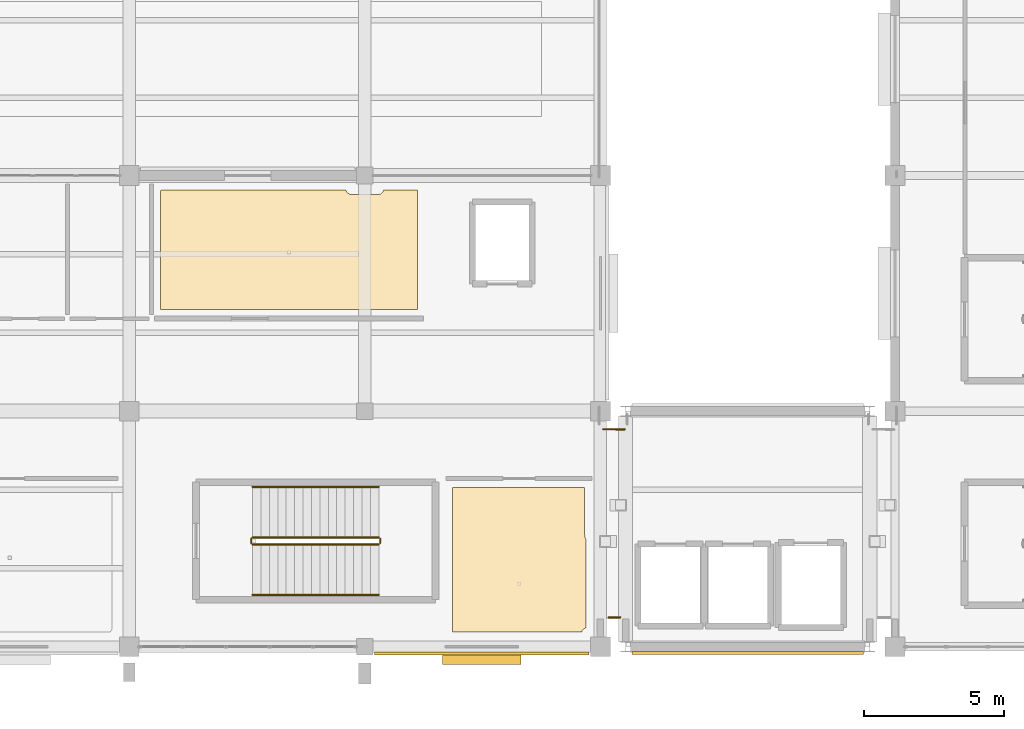
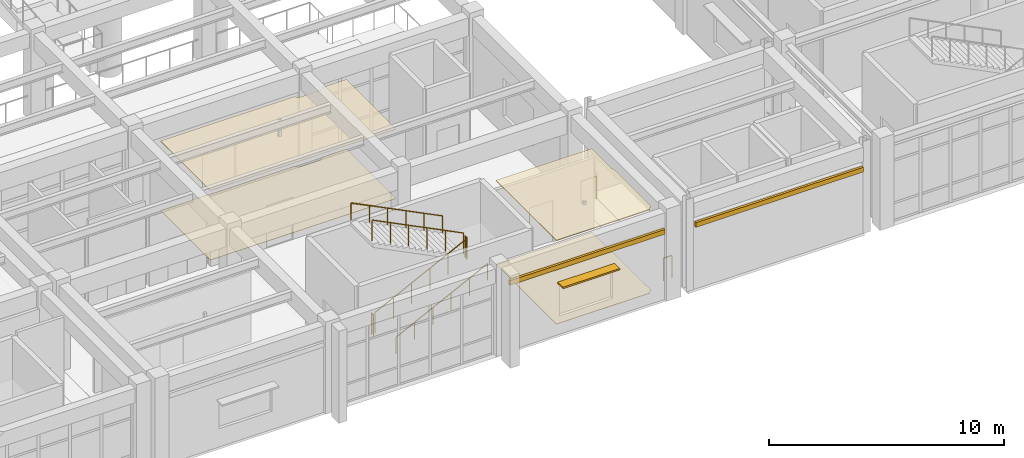
# One storey, part 90 of 98: 8 railings, 6 coverings, 1 shading device.
"""IFC4 building model written with IfcOpenShell, lengths in metres."""

from ifc_helpers import new_model, si_unit, direction, frame, origin, origin_2d, place, context, subcontext, project, spatial, polyline, rectangle, circle, outline, extrude, material, layer, layer_set, type_object, element, save


model = new_model("IFC4")

# Units and contexts
model_context = context("Model", 3, precision=1e-05, world=origin(), true_north=direction((0.0, 1.0)))
body_context = subcontext(model_context, "Body", "Model", "MODEL_VIEW")
ifc_project = project(units=[si_unit("LENGTHUNIT", "METRE"), si_unit("AREAUNIT", "SQUARE_METRE"), si_unit("VOLUMEUNIT", "CUBIC_METRE"), si_unit("PLANEANGLEUNIT", "RADIAN"), si_unit("MASSUNIT", "GRAM", prefix="KILO")], contexts=[model_context])

# Site, building, storey
site_placement = place(None, origin())
site = spatial("IfcSite", under=ifc_project, at=site_placement, CompositionType="ELEMENT")
building_placement = place(site_placement, origin())
building = spatial("IfcBuilding", under=site, at=building_placement, Name="Canglan Escarpment Cableway Terminal", CompositionType="ELEMENT")
storey_placement = place(building_placement, frame((0.0, 0.0, 9.60009765625)))
storey = spatial("IfcBuildingStorey", under=building, at=storey_placement, Name="L02", CompositionType="ELEMENT", Elevation=9.60009765625)

# Coverings
ifc_material_1 = material(Name="Micro-perforated acoustic aluminium ceiling", Category="aluminium")
ifc_layer_1 = layer(ifc_material_1, 0.0400390625, Name="Micro-perforated acoustic aluminium ceiling")
ifc_layer_set_1 = layer_set([ifc_layer_1], Name="Micro-perforated acoustic aluminium ceiling")
covering_type_1 = type_object("IfcCoveringType", Name="COV-CEIL-ACOUSTIC-40", PredefinedType="CEILING", material=ifc_layer_set_1)
covering_1_placement = place(storey_placement, frame((0.0, 0.0, 4.33984375)))
element("IfcCovering", 1, at=covering_1_placement, inside=storey, type_object=covering_type_1, Name="Alpine Tea Tasting Room suspended acoustic ceiling", PredefinedType="CEILING", context=body_context, shape_type="SweptSolid", body=[
    extrude(outline(polyline([(131.419921875, 13.659912109375), (131.420166015625, 13.662109375), (131.42041015625, 13.663818359375), (131.4208984375, 13.665771484375), (131.42138671875, 13.667724609375), (131.42236328125, 13.66943359375), (131.42333984375, 13.671142578125), (131.424560546875, 13.672607421875), (131.42578125, 13.674072265625), (131.42724609375, 13.675537109375), (131.428955078125, 13.676513671875), (131.4306640625, 13.677490234375), (131.432373046875, 13.678466796875), (131.43408203125, 13.67919921875), (131.43603515625, 13.6796875), (131.43798828125, 13.679931640625), (131.43994140625, 13.679931640625), (136.1201171875, 13.679931640625), (136.1220703125, 13.679931640625), (136.123779296875, 13.6796875), (136.125732421875, 13.67919921875), (136.127685546875, 13.678466796875), (136.12939453125, 13.677490234375), (136.131103515625, 13.676513671875), (136.1328125, 13.675537109375), (136.134033203125, 13.674072265625), (136.135498046875, 13.672607421875), (136.13671875, 13.671142578125), (136.1376953125, 13.66943359375), (136.138427734375, 13.667724609375), (136.13916015625, 13.665771484375), (136.1396484375, 13.663818359375), (136.139892578125, 13.662109375), (136.139892578125, 13.659912109375), (136.139892578125, 12.0), (136.139892578125, 12.0), (136.140380859375, 11.9892578125), (136.140380859375, 11.989013671875), (136.140869140625, 11.9755859375), (136.14111328125, 11.97509765625), (136.14306640625, 11.9541015625), (136.14306640625, 11.953857421875), (136.14501953125, 11.940673828125), (136.14501953125, 11.940185546875), (136.149169921875, 11.91943359375), (136.1494140625, 11.9189453125), (136.152587890625, 11.906005859375), (136.152587890625, 11.90576171875), (136.15869140625, 11.885498046875), (136.158935546875, 11.885009765625), (136.163330078125, 11.87255859375), (136.16357421875, 11.8720703125), (136.171630859375, 11.8525390625), (136.171875, 11.85205078125), (136.177490234375, 11.840087890625), (136.177978515625, 11.839599609375), (136.1787109375, 11.837890625), (136.17919921875, 11.836181640625), (136.1796875, 11.834228515625), (136.179931640625, 11.83251953125), (136.179931640625, 11.83056640625), (136.179931640625, 8.68603515625), (136.179931640625, 8.68408203125), (136.1796875, 8.68212890625), (136.17919921875, 8.680419921875), (136.1787109375, 8.6787109375), (136.177734375, 8.677001953125), (136.177001953125, 8.67529296875), (136.17578125, 8.673583984375), (136.174560546875, 8.67236328125), (136.173095703125, 8.6708984375), (136.171630859375, 8.669921875), (136.170166015625, 8.668701171875), (136.16845703125, 8.66796875), (136.166748046875, 8.667236328125), (136.15625, 8.663330078125), (136.155517578125, 8.6630859375), (136.13671875, 8.654296875), (136.135986328125, 8.65380859375), (136.1181640625, 8.643310546875), (136.117431640625, 8.642578125), (136.100830078125, 8.63037109375), (136.10009765625, 8.629638671875), (136.084716796875, 8.615966796875), (136.083984375, 8.615234375), (136.0703125, 8.599853515625), (136.069580078125, 8.59912109375), (136.057373046875, 8.58251953125), (136.056884765625, 8.581787109375), (136.046142578125, 8.564208984375), (136.0458984375, 8.563232421875), (136.037109375, 8.544677734375), (136.03662109375, 8.543701171875), (136.03271484375, 8.533203125), (136.031982421875, 8.531494140625), (136.031005859375, 8.529541015625), (136.02978515625, 8.52783203125), (136.028564453125, 8.5263671875), (136.027099609375, 8.52490234375), (136.025390625, 8.523681640625), (136.023681640625, 8.522705078125), (136.02197265625, 8.521728515625), (136.02001953125, 8.52099609375), (136.01806640625, 8.5205078125), (136.01611328125, 8.52001953125), (136.013916015625, 8.52001953125), (131.43994140625, 8.52001953125), (131.43798828125, 8.52001953125), (131.43603515625, 8.5205078125), (131.43408203125, 8.52099609375), (131.432373046875, 8.521484375), (131.4306640625, 8.5224609375), (131.428955078125, 8.5234375), (131.42724609375, 8.5244140625), (131.42578125, 8.52587890625), (131.424560546875, 8.52734375), (131.42333984375, 8.52880859375), (131.42236328125, 8.530517578125), (131.42138671875, 8.5322265625), (131.4208984375, 8.5341796875), (131.42041015625, 8.5361328125), (131.420166015625, 8.5380859375), (131.419921875, 8.5400390625), (131.419921875, 13.659912109375)])), origin(), (0.0, 0.0, 1.0), 0.0400390625),
])
ifc_material_2 = material(Name="Moisture-resistant acoustic gypsum ceiling", Category="gypsum")
ifc_layer_2 = layer(ifc_material_2, 0.030029296875, Name="Moisture-resistant acoustic gypsum ceiling")
ifc_layer_set_2 = layer_set([ifc_layer_2], Name="Moisture-resistant acoustic gypsum ceiling")
covering_type_2 = type_object("IfcCoveringType", Name="COV-CEIL-GYPSUM-30", PredefinedType="CEILING", material=ifc_layer_set_2)
covering_2_placement = place(storey_placement, frame((0.0, 0.0, 3.60986328125)))
element("IfcCovering", 2, at=covering_2_placement, inside=storey, type_object=covering_type_2, Name="Cableway Safety Archive Room suspended acoustic ceiling", PredefinedType="CEILING", context=body_context, shape_type="SweptSolid", body=[
    extrude(outline(polyline([(127.614013671875, 24.280029296875), (127.615966796875, 24.27978515625), (127.617919921875, 24.279541015625), (127.61962890625, 24.279296875), (127.621337890625, 24.278564453125), (127.623046875, 24.27783203125), (127.624755859375, 24.27685546875), (127.626220703125, 24.27587890625), (127.627685546875, 24.274658203125), (127.62890625, 24.273193359375), (127.630126953125, 24.271728515625), (127.631103515625, 24.270263671875), (127.632080078125, 24.2685546875), (127.6328125, 24.2666015625), (127.63671875, 24.25634765625), (127.636962890625, 24.25537109375), (127.645751953125, 24.23681640625), (127.646240234375, 24.23583984375), (127.65673828125, 24.21826171875), (127.657470703125, 24.21728515625), (127.669677734375, 24.20068359375), (127.67041015625, 24.2001953125), (127.68408203125, 24.184814453125), (127.684814453125, 24.18408203125), (127.7001953125, 24.17041015625), (127.70068359375, 24.169677734375), (127.71728515625, 24.157470703125), (127.71826171875, 24.15673828125), (127.73583984375, 24.146240234375), (127.73681640625, 24.145751953125), (127.75537109375, 24.136962890625), (127.75634765625, 24.13671875), (127.775634765625, 24.129638671875), (127.776611328125, 24.12939453125), (127.796630859375, 24.124267578125), (127.797607421875, 24.124267578125), (127.818115234375, 24.12109375), (127.81884765625, 24.12109375), (127.83984375, 24.1201171875), (127.840087890625, 24.1201171875), (128.759765625, 24.1201171875), (128.76025390625, 24.1201171875), (128.781005859375, 24.12109375), (128.781982421875, 24.12109375), (128.802490234375, 24.124267578125), (128.803466796875, 24.124267578125), (128.823486328125, 24.12939453125), (128.82421875, 24.129638671875), (128.84375, 24.13671875), (128.844482421875, 24.136962890625), (128.86328125, 24.145751953125), (128.864013671875, 24.146240234375), (128.8818359375, 24.15673828125), (128.882568359375, 24.157470703125), (128.899169921875, 24.169677734375), (128.89990234375, 24.17041015625), (128.915283203125, 24.18408203125), (128.916015625, 24.184814453125), (128.9296875, 24.2001953125), (128.930419921875, 24.20068359375), (128.942626953125, 24.21728515625), (128.943115234375, 24.21826171875), (128.953857421875, 24.23583984375), (128.9541015625, 24.23681640625), (128.962890625, 24.25537109375), (128.96337890625, 24.25634765625), (128.96728515625, 24.2666015625), (128.968017578125, 24.2685546875), (128.968994140625, 24.2705078125), (128.97021484375, 24.272216796875), (128.971435546875, 24.273681640625), (128.972900390625, 24.275146484375), (128.974609375, 24.2763671875), (128.976318359375, 24.27734375), (128.97802734375, 24.2783203125), (128.97998046875, 24.279052734375), (128.98193359375, 24.279541015625), (128.98388671875, 24.27978515625), (128.986083984375, 24.280029296875), (130.159912109375, 24.280029296875), (130.162109375, 24.27978515625), (130.163818359375, 24.279541015625), (130.165771484375, 24.279052734375), (130.167724609375, 24.278564453125), (130.16943359375, 24.277587890625), (130.171142578125, 24.276611328125), (130.172607421875, 24.275390625), (130.174072265625, 24.274169921875), (130.175537109375, 24.272705078125), (130.176513671875, 24.27099609375), (130.177490234375, 24.269287109375), (130.178466796875, 24.267578125), (130.17919921875, 24.265869140625), (130.1796875, 24.263916015625), (130.179931640625, 24.261962890625), (130.179931640625, 24.260009765625), (130.179931640625, 20.0400390625), (130.179931640625, 20.0380859375), (130.1796875, 20.0361328125), (130.17919921875, 20.0341796875), (130.178466796875, 20.0322265625), (130.177490234375, 20.030517578125), (130.176513671875, 20.02880859375), (130.175537109375, 20.02734375), (130.174072265625, 20.02587890625), (130.172607421875, 20.0244140625), (130.171142578125, 20.0234375), (130.16943359375, 20.0224609375), (130.167724609375, 20.021484375), (130.165771484375, 20.02099609375), (130.163818359375, 20.0205078125), (130.162109375, 20.02001953125), (130.159912109375, 20.02001953125), (121.0400390625, 20.02001953125), (121.0380859375, 20.02001953125), (121.0361328125, 20.0205078125), (121.0341796875, 20.02099609375), (121.0322265625, 20.021484375), (121.030517578125, 20.0224609375), (121.02880859375, 20.0234375), (121.02734375, 20.0244140625), (121.02587890625, 20.02587890625), (121.0244140625, 20.02734375), (121.0234375, 20.02880859375), (121.0224609375, 20.030517578125), (121.021484375, 20.0322265625), (121.02099609375, 20.0341796875), (121.0205078125, 20.0361328125), (121.02001953125, 20.0380859375), (121.02001953125, 20.0400390625), (121.02001953125, 24.260009765625), (121.02001953125, 24.261962890625), (121.0205078125, 24.263916015625), (121.02099609375, 24.265869140625), (121.021484375, 24.267578125), (121.0224609375, 24.269287109375), (121.0234375, 24.27099609375), (121.0244140625, 24.272705078125), (121.02587890625, 24.274169921875), (121.02734375, 24.275390625), (121.02880859375, 24.276611328125), (121.030517578125, 24.277587890625), (121.0322265625, 24.278564453125), (121.0341796875, 24.279052734375), (121.0361328125, 24.279541015625), (121.0380859375, 24.27978515625), (121.0400390625, 24.280029296875), (127.614013671875, 24.280029296875)])), origin(), (0.0, 0.0, 1.0), 0.030029296875),
])
ifc_material_3 = material(Name="Carved classical limestone cornice", Category="masonry")
ifc_layer_3 = layer(ifc_material_3, 0.1201171875, Name="Carved classical limestone cornice")
ifc_layer_set_3 = layer_set([ifc_layer_3], Name="Carved classical limestone cornice")
covering_type_3 = type_object("IfcCoveringType", Name="COV-CORNICE-STONE", PredefinedType="CLADDING", material=ifc_layer_set_3)
covering_3_placement = place(storey_placement, frame((132.47509765625, 7.760009765625, 3.4951171875), z_axis=(0.0, 0.0, 1.0), x_axis=(1.0, 0.0, 0.0)))
element("IfcCovering", 3, at=covering_3_placement, inside=storey, type_object=covering_type_3, Name="Classical carved limestone cornice CL-01", PredefinedType="CLADDING", context=body_context, shape_type="SweptSolid", body=[
    extrude(rectangle(XDim=7.64990234375, YDim=0.1201171875, at=origin_2d()), origin(), (0.0, 0.0, 1.0), 0.239990234375),
])
covering_4_placement = place(storey_placement, frame((141.949951171875, 7.780029296875, 3.294921875), z_axis=(0.0, 0.0, 1.0), x_axis=(1.0, 0.0, 0.0)))
element("IfcCovering", 4, at=covering_4_placement, inside=storey, type_object=covering_type_3, Name="Classical carved limestone cornice CL-01", PredefinedType="CLADDING", context=body_context, shape_type="SweptSolid", body=[
    extrude(rectangle(XDim=8.25, YDim=0.1201171875, at=origin_2d()), origin(), (0.0, 0.0, 1.0), 0.239990234375),
])
ifc_material_4 = material(Name="Polished mineral terrazzo flooring", Category="concrete")
ifc_layer_4 = layer(ifc_material_4, 0.02001953125, Name="Polished mineral terrazzo flooring")
ifc_layer_set_4 = layer_set([ifc_layer_4], Name="Polished mineral terrazzo flooring")
covering_type_4 = type_object("IfcCoveringType", Name="COV-FLR-TERRAZZO-20", PredefinedType="FLOORING", material=ifc_layer_set_4)
covering_5_placement = place(storey_placement, origin())
element("IfcCovering", 5, at=covering_5_placement, inside=storey, type_object=covering_type_4, Name="Cableway Safety Archive Room stone floor finish", PredefinedType="FLOORING", context=body_context, shape_type="SweptSolid", body=[
    extrude(outline(polyline([(127.614013671875, 24.280029296875), (127.615966796875, 24.27978515625), (127.617919921875, 24.279541015625), (127.61962890625, 24.279296875), (127.621337890625, 24.278564453125), (127.623046875, 24.27783203125), (127.624755859375, 24.27685546875), (127.626220703125, 24.27587890625), (127.627685546875, 24.274658203125), (127.62890625, 24.273193359375), (127.630126953125, 24.271728515625), (127.631103515625, 24.270263671875), (127.632080078125, 24.2685546875), (127.6328125, 24.2666015625), (127.63671875, 24.25634765625), (127.636962890625, 24.25537109375), (127.645751953125, 24.23681640625), (127.646240234375, 24.23583984375), (127.65673828125, 24.21826171875), (127.657470703125, 24.21728515625), (127.669677734375, 24.20068359375), (127.67041015625, 24.2001953125), (127.68408203125, 24.184814453125), (127.684814453125, 24.18408203125), (127.7001953125, 24.17041015625), (127.70068359375, 24.169677734375), (127.71728515625, 24.157470703125), (127.71826171875, 24.15673828125), (127.73583984375, 24.146240234375), (127.73681640625, 24.145751953125), (127.75537109375, 24.136962890625), (127.75634765625, 24.13671875), (127.775634765625, 24.129638671875), (127.776611328125, 24.12939453125), (127.796630859375, 24.124267578125), (127.797607421875, 24.124267578125), (127.818115234375, 24.12109375), (127.81884765625, 24.12109375), (127.83984375, 24.1201171875), (127.840087890625, 24.1201171875), (128.759765625, 24.1201171875), (128.76025390625, 24.1201171875), (128.781005859375, 24.12109375), (128.781982421875, 24.12109375), (128.802490234375, 24.124267578125), (128.803466796875, 24.124267578125), (128.823486328125, 24.12939453125), (128.82421875, 24.129638671875), (128.84375, 24.13671875), (128.844482421875, 24.136962890625), (128.86328125, 24.145751953125), (128.864013671875, 24.146240234375), (128.8818359375, 24.15673828125), (128.882568359375, 24.157470703125), (128.899169921875, 24.169677734375), (128.89990234375, 24.17041015625), (128.915283203125, 24.18408203125), (128.916015625, 24.184814453125), (128.9296875, 24.2001953125), (128.930419921875, 24.20068359375), (128.942626953125, 24.21728515625), (128.943115234375, 24.21826171875), (128.953857421875, 24.23583984375), (128.9541015625, 24.23681640625), (128.962890625, 24.25537109375), (128.96337890625, 24.25634765625), (128.96728515625, 24.2666015625), (128.968017578125, 24.2685546875), (128.968994140625, 24.2705078125), (128.97021484375, 24.272216796875), (128.971435546875, 24.273681640625), (128.972900390625, 24.275146484375), (128.974609375, 24.2763671875), (128.976318359375, 24.27734375), (128.97802734375, 24.2783203125), (128.97998046875, 24.279052734375), (128.98193359375, 24.279541015625), (128.98388671875, 24.27978515625), (128.986083984375, 24.280029296875), (130.159912109375, 24.280029296875), (130.162109375, 24.27978515625), (130.163818359375, 24.279541015625), (130.165771484375, 24.279052734375), (130.167724609375, 24.278564453125), (130.16943359375, 24.277587890625), (130.171142578125, 24.276611328125), (130.172607421875, 24.275390625), (130.174072265625, 24.274169921875), (130.175537109375, 24.272705078125), (130.176513671875, 24.27099609375), (130.177490234375, 24.269287109375), (130.178466796875, 24.267578125), (130.17919921875, 24.265869140625), (130.1796875, 24.263916015625), (130.179931640625, 24.261962890625), (130.179931640625, 24.260009765625), (130.179931640625, 20.0400390625), (130.179931640625, 20.0380859375), (130.1796875, 20.0361328125), (130.17919921875, 20.0341796875), (130.178466796875, 20.0322265625), (130.177490234375, 20.030517578125), (130.176513671875, 20.02880859375), (130.175537109375, 20.02734375), (130.174072265625, 20.02587890625), (130.172607421875, 20.0244140625), (130.171142578125, 20.0234375), (130.16943359375, 20.0224609375), (130.167724609375, 20.021484375), (130.165771484375, 20.02099609375), (130.163818359375, 20.0205078125), (130.162109375, 20.02001953125), (130.159912109375, 20.02001953125), (121.0400390625, 20.02001953125), (121.0380859375, 20.02001953125), (121.0361328125, 20.0205078125), (121.0341796875, 20.02099609375), (121.0322265625, 20.021484375), (121.030517578125, 20.0224609375), (121.02880859375, 20.0234375), (121.02734375, 20.0244140625), (121.02587890625, 20.02587890625), (121.0244140625, 20.02734375), (121.0234375, 20.02880859375), (121.0224609375, 20.030517578125), (121.021484375, 20.0322265625), (121.02099609375, 20.0341796875), (121.0205078125, 20.0361328125), (121.02001953125, 20.0380859375), (121.02001953125, 20.0400390625), (121.02001953125, 24.260009765625), (121.02001953125, 24.261962890625), (121.0205078125, 24.263916015625), (121.02099609375, 24.265869140625), (121.021484375, 24.267578125), (121.0224609375, 24.269287109375), (121.0234375, 24.27099609375), (121.0244140625, 24.272705078125), (121.02587890625, 24.274169921875), (121.02734375, 24.275390625), (121.02880859375, 24.276611328125), (121.030517578125, 24.277587890625), (121.0322265625, 24.278564453125), (121.0341796875, 24.279052734375), (121.0361328125, 24.279541015625), (121.0380859375, 24.27978515625), (121.0400390625, 24.280029296875), (127.614013671875, 24.280029296875)])), origin(), (0.0, 0.0, 1.0), 0.02001953125),
])
covering_6_placement = place(storey_placement, origin())
element("IfcCovering", 6, at=covering_6_placement, inside=storey, type_object=covering_type_4, Name="Alpine Tea Tasting Room stone floor finish", PredefinedType="FLOORING", context=body_context, shape_type="SweptSolid", body=[
    extrude(outline(polyline([(131.419921875, 13.659912109375), (131.420166015625, 13.662109375), (131.42041015625, 13.663818359375), (131.4208984375, 13.665771484375), (131.42138671875, 13.667724609375), (131.42236328125, 13.66943359375), (131.42333984375, 13.671142578125), (131.424560546875, 13.672607421875), (131.42578125, 13.674072265625), (131.42724609375, 13.675537109375), (131.428955078125, 13.676513671875), (131.4306640625, 13.677490234375), (131.432373046875, 13.678466796875), (131.43408203125, 13.67919921875), (131.43603515625, 13.6796875), (131.43798828125, 13.679931640625), (131.43994140625, 13.679931640625), (136.1201171875, 13.679931640625), (136.1220703125, 13.679931640625), (136.123779296875, 13.6796875), (136.125732421875, 13.67919921875), (136.127685546875, 13.678466796875), (136.12939453125, 13.677490234375), (136.131103515625, 13.676513671875), (136.1328125, 13.675537109375), (136.134033203125, 13.674072265625), (136.135498046875, 13.672607421875), (136.13671875, 13.671142578125), (136.1376953125, 13.66943359375), (136.138427734375, 13.667724609375), (136.13916015625, 13.665771484375), (136.1396484375, 13.663818359375), (136.139892578125, 13.662109375), (136.139892578125, 13.659912109375), (136.139892578125, 12.0), (136.139892578125, 12.0), (136.140380859375, 11.9892578125), (136.140380859375, 11.989013671875), (136.140869140625, 11.9755859375), (136.14111328125, 11.97509765625), (136.14306640625, 11.9541015625), (136.14306640625, 11.953857421875), (136.14501953125, 11.940673828125), (136.14501953125, 11.940185546875), (136.149169921875, 11.91943359375), (136.1494140625, 11.9189453125), (136.152587890625, 11.906005859375), (136.152587890625, 11.90576171875), (136.15869140625, 11.885498046875), (136.158935546875, 11.885009765625), (136.163330078125, 11.87255859375), (136.16357421875, 11.8720703125), (136.171630859375, 11.8525390625), (136.171875, 11.85205078125), (136.177490234375, 11.840087890625), (136.177978515625, 11.839599609375), (136.1787109375, 11.837890625), (136.17919921875, 11.836181640625), (136.1796875, 11.834228515625), (136.179931640625, 11.83251953125), (136.179931640625, 11.83056640625), (136.179931640625, 8.68603515625), (136.179931640625, 8.68408203125), (136.1796875, 8.68212890625), (136.17919921875, 8.680419921875), (136.1787109375, 8.6787109375), (136.177734375, 8.677001953125), (136.177001953125, 8.67529296875), (136.17578125, 8.673583984375), (136.174560546875, 8.67236328125), (136.173095703125, 8.6708984375), (136.171630859375, 8.669921875), (136.170166015625, 8.668701171875), (136.16845703125, 8.66796875), (136.166748046875, 8.667236328125), (136.15625, 8.663330078125), (136.155517578125, 8.6630859375), (136.13671875, 8.654296875), (136.135986328125, 8.65380859375), (136.1181640625, 8.643310546875), (136.117431640625, 8.642578125), (136.100830078125, 8.63037109375), (136.10009765625, 8.629638671875), (136.084716796875, 8.615966796875), (136.083984375, 8.615234375), (136.0703125, 8.599853515625), (136.069580078125, 8.59912109375), (136.057373046875, 8.58251953125), (136.056884765625, 8.581787109375), (136.046142578125, 8.564208984375), (136.0458984375, 8.563232421875), (136.037109375, 8.544677734375), (136.03662109375, 8.543701171875), (136.03271484375, 8.533203125), (136.031982421875, 8.531494140625), (136.031005859375, 8.529541015625), (136.02978515625, 8.52783203125), (136.028564453125, 8.5263671875), (136.027099609375, 8.52490234375), (136.025390625, 8.523681640625), (136.023681640625, 8.522705078125), (136.02197265625, 8.521728515625), (136.02001953125, 8.52099609375), (136.01806640625, 8.5205078125), (136.01611328125, 8.52001953125), (136.013916015625, 8.52001953125), (131.43994140625, 8.52001953125), (131.43798828125, 8.52001953125), (131.43603515625, 8.5205078125), (131.43408203125, 8.52099609375), (131.432373046875, 8.521484375), (131.4306640625, 8.5224609375), (131.428955078125, 8.5234375), (131.42724609375, 8.5244140625), (131.42578125, 8.52587890625), (131.424560546875, 8.52734375), (131.42333984375, 8.52880859375), (131.42236328125, 8.530517578125), (131.42138671875, 8.5322265625), (131.4208984375, 8.5341796875), (131.42041015625, 8.5361328125), (131.420166015625, 8.5380859375), (131.419921875, 8.5400390625), (131.419921875, 13.659912109375)])), origin(), (0.0, 0.0, 1.0), 0.02001953125),
])

# Railings
ifc_material_5 = material(Name="Carved limestone and anodized bronze balustrade", Category="masonry")
railing_type_1 = type_object("IfcRailingType", Name="RL-EXT-BALUSTRADE-1200", PredefinedType="BALUSTRADE", material=ifc_material_5)
railing_1_placement = place(storey_placement, frame((136.79931640625, 15.756103515625, 0.0)))
element("IfcRailing", 7, at=railing_1_placement, inside=storey, type_object=railing_type_1, Name="Classical terrace balustrade guard GD-01 (L02)", PredefinedType="BALUSTRADE", context=body_context, shape_type="SweptSolid", body=[
    extrude(circle(Radius=0.02392578125, at=origin_2d()), frame((0.0, 0.0, 1.17578125), z_axis=(0.999968646904, -0.007918662076, 0.0), x_axis=(0.007918662076, 0.999968646904, 0.0)), (0.0, 0.0, 1.0), 0.770751953125),
    extrude(circle(Radius=0.02099609375, at=origin_2d()), origin(), (0.0, 0.0, 1.0), 1.15185546875),
    extrude(circle(Radius=0.02099609375, at=origin_2d()), frame((0.770751953125, -0.006103515625, 0.0)), (0.0, 0.0, 1.0), 1.15185546875),
])
railing_2_placement = place(storey_placement, frame((137.409912109375, 9.050048828125, 0.0)))
element("IfcRailing", 8, at=railing_2_placement, inside=storey, type_object=railing_type_1, Name="Classical terrace balustrade guard GD-01 (L02)", PredefinedType="BALUSTRADE", context=body_context, shape_type="SweptSolid", body=[
    extrude(circle(Radius=0.02392578125, at=origin_2d()), frame((0.0, 0.0, 1.17578125), z_axis=(-1.0, 0.0, 0.0), x_axis=(0.0, -1.0, 0.0)), (0.0, 0.0, 1.0), 0.419921875),
    extrude(circle(Radius=0.02099609375, at=origin_2d()), origin(), (0.0, 0.0, 1.0), 1.15185546875),
    extrude(circle(Radius=0.02099609375, at=origin_2d()), frame((-0.419921875, 0.0, 0.0)), (0.0, 0.0, 1.0), 1.15185546875),
])
ifc_material_6 = material(Name="Powder-coated steel stair balustrade", Category="steel")
railing_type_2 = type_object("IfcRailingType", Name="RL-STR-GUARD-1100", PredefinedType="BALUSTRADE", material=ifc_material_6)
railing_3_placement = place(storey_placement, frame((124.300048828125, 11.64990234375, 0.14990234375)))
element("IfcRailing", 9, at=railing_3_placement, inside=storey, type_object=railing_type_2, Name="L02 ST-07 stair guard 1", PredefinedType="BALUSTRADE", context=body_context, shape_type="SweptSolid", body=[
    extrude(circle(Radius=0.02392578125, at=origin_2d()), frame((0.0, 0.0, 1.076171875), z_axis=(0.894427191, 0.0, 0.4472135955), x_axis=(0.0, 1.0, 0.0)), (0.0, 0.0, 1.0), 5.03125),
    extrude(circle(Radius=0.02099609375, at=origin_2d()), origin(), (0.0, 0.0, 1.0), 1.052001953125),
    extrude(circle(Radius=0.02099609375, at=origin_2d()), frame((0.89990234375, 0.0, 0.449951171875)), (0.0, 0.0, 1.0), 1.052001953125),
    extrude(circle(Radius=0.02099609375, at=origin_2d()), frame((1.800048828125, 0.0, 0.89990234375)), (0.0, 0.0, 1.0), 1.052001953125),
    extrude(circle(Radius=0.02099609375, at=origin_2d()), frame((2.699951171875, 0.0, 1.35009765625)), (0.0, 0.0, 1.0), 1.052001953125),
    extrude(circle(Radius=0.02099609375, at=origin_2d()), frame((3.60009765625, 0.0, 1.800048828125)), (0.0, 0.0, 1.0), 1.052001953125),
    extrude(circle(Radius=0.02099609375, at=origin_2d()), frame((4.5, 0.0, 2.25)), (0.0, 0.0, 1.0), 1.052001953125),
])
railing_4_placement = place(storey_placement, frame((128.85009765625, 11.699951171875, 2.39990234375)))
element("IfcRailing", 10, at=railing_4_placement, inside=storey, type_object=railing_type_2, Name="L02 ST-07 stair guard 2", PredefinedType="BALUSTRADE", context=body_context, shape_type="SweptSolid", body=[
    extrude(circle(Radius=0.02392578125, at=origin_2d()), frame((0.0, 0.0, 1.076171875), z_axis=(0.0, 1.0, 0.0), x_axis=(-1.0, 0.0, 0.0)), (0.0, 0.0, 1.0), 0.150146484375),
    extrude(circle(Radius=0.02099609375, at=origin_2d()), origin(), (0.0, 0.0, 1.0), 1.052001953125),
    extrude(circle(Radius=0.02099609375, at=origin_2d()), frame((0.0, 0.150146484375, 0.0)), (0.0, 0.0, 1.0), 1.052001953125),
])
railing_5_placement = place(storey_placement, frame((128.800048828125, 11.89990234375, 2.5498046875)))
element("IfcRailing", 11, at=railing_5_placement, inside=storey, type_object=railing_type_2, Name="L02 ST-07 stair guard 3", PredefinedType="BALUSTRADE", context=body_context, shape_type="SweptSolid", body=[
    extrude(circle(Radius=0.02392578125, at=origin_2d()), frame((0.0, 0.0, 1.076171875), z_axis=(-0.894427191, 0.0, 0.4472135955), x_axis=(0.0, -1.0, 0.0)), (0.0, 0.0, 1.0), 5.03125),
    extrude(circle(Radius=0.02099609375, at=origin_2d()), origin(), (0.0, 0.0, 1.0), 1.052001953125),
    extrude(circle(Radius=0.02099609375, at=origin_2d()), frame((-0.89990234375, 0.0, 0.449951171875)), (0.0, 0.0, 1.0), 1.052001953125),
    extrude(circle(Radius=0.02099609375, at=origin_2d()), frame((-1.800048828125, 0.0, 0.89990234375)), (0.0, 0.0, 1.0), 1.052001953125),
    extrude(circle(Radius=0.02099609375, at=origin_2d()), frame((-2.699951171875, 0.0, 1.35009765625)), (0.0, 0.0, 1.0), 1.052001953125),
    extrude(circle(Radius=0.02099609375, at=origin_2d()), frame((-3.60009765625, 0.0, 1.800048828125)), (0.0, 0.0, 1.0), 1.052001953125),
    extrude(circle(Radius=0.02099609375, at=origin_2d()), frame((-4.5, 0.0, 2.25)), (0.0, 0.0, 1.0), 1.052001953125),
])
railing_6_placement = place(storey_placement, frame((124.25, 11.699951171875, 0.0)))
element("IfcRailing", 12, at=railing_6_placement, inside=storey, type_object=railing_type_2, Name="L02 ST-07 stair guard 4", PredefinedType="BALUSTRADE", context=body_context, shape_type="SweptSolid", body=[
    extrude(circle(Radius=0.02392578125, at=origin_2d()), frame((0.0, 0.0, 1.076171875), z_axis=(0.0, 1.0, 0.0), x_axis=(-1.0, 0.0, 0.0)), (0.0, 0.0, 1.0), 0.150146484375),
    extrude(circle(Radius=0.02099609375, at=origin_2d()), origin(), (0.0, 0.0, 1.0), 1.052001953125),
    extrude(circle(Radius=0.02099609375, at=origin_2d()), frame((0.0, 0.150146484375, 0.0)), (0.0, 0.0, 1.0), 1.052001953125),
])
ifc_material_7 = material(Name="Brushed stainless steel 304 handrail", Category="steel")
railing_type_3 = type_object("IfcRailingType", Name="RL-STR-HR-900", PredefinedType="HANDRAIL", material=ifc_material_7)
railing_7_placement = place(storey_placement, frame((124.300048828125, 9.85009765625, 0.14990234375)))
element("IfcRailing", 13, at=railing_7_placement, inside=storey, type_object=railing_type_3, Name="L02 ST-07 stair handrail 1", PredefinedType="HANDRAIL", context=body_context, shape_type="SweptSolid", body=[
    extrude(circle(Radius=0.02392578125, at=origin_2d()), frame((0.0, 0.0, 0.8759765625), z_axis=(0.894427191, 0.0, 0.4472135955), x_axis=(0.0, 1.0, 0.0)), (0.0, 0.0, 1.0), 5.03125),
    extrude(circle(Radius=0.02099609375, at=origin_2d()), origin(), (0.0, 0.0, 1.0), 0.851806640625),
    extrude(circle(Radius=0.02099609375, at=origin_2d()), frame((0.89990234375, 0.0, 0.449951171875)), (0.0, 0.0, 1.0), 0.851806640625),
    extrude(circle(Radius=0.02099609375, at=origin_2d()), frame((1.800048828125, 0.0, 0.89990234375)), (0.0, 0.0, 1.0), 0.851806640625),
    extrude(circle(Radius=0.02099609375, at=origin_2d()), frame((2.699951171875, 0.0, 1.35009765625)), (0.0, 0.0, 1.0), 0.851806640625),
    extrude(circle(Radius=0.02099609375, at=origin_2d()), frame((3.60009765625, 0.0, 1.800048828125)), (0.0, 0.0, 1.0), 0.851806640625),
    extrude(circle(Radius=0.02099609375, at=origin_2d()), frame((4.5, 0.0, 2.25)), (0.0, 0.0, 1.0), 0.851806640625),
])
railing_8_placement = place(storey_placement, frame((128.800048828125, 13.699951171875, 2.5498046875)))
element("IfcRailing", 14, at=railing_8_placement, inside=storey, type_object=railing_type_3, Name="L02 ST-07 stair handrail 2", PredefinedType="HANDRAIL", context=body_context, shape_type="SweptSolid", body=[
    extrude(circle(Radius=0.02392578125, at=origin_2d()), frame((0.0, 0.0, 0.8759765625), z_axis=(-0.894427191, 0.0, 0.4472135955), x_axis=(0.0, -1.0, 0.0)), (0.0, 0.0, 1.0), 5.03125),
    extrude(circle(Radius=0.02099609375, at=origin_2d()), origin(), (0.0, 0.0, 1.0), 0.851806640625),
    extrude(circle(Radius=0.02099609375, at=origin_2d()), frame((-0.89990234375, 0.0, 0.449951171875)), (0.0, 0.0, 1.0), 0.851806640625),
    extrude(circle(Radius=0.02099609375, at=origin_2d()), frame((-1.800048828125, 0.0, 0.89990234375)), (0.0, 0.0, 1.0), 0.851806640625),
    extrude(circle(Radius=0.02099609375, at=origin_2d()), frame((-2.699951171875, 0.0, 1.35009765625)), (0.0, 0.0, 1.0), 0.851806640625),
    extrude(circle(Radius=0.02099609375, at=origin_2d()), frame((-3.60009765625, 0.0, 1.800048828125)), (0.0, 0.0, 1.0), 0.851806640625),
    extrude(circle(Radius=0.02099609375, at=origin_2d()), frame((-4.5, 0.0, 2.25)), (0.0, 0.0, 1.0), 0.851806640625),
])

# Shading device
ifc_material_8 = material(Name="Anodized architectural bronze aluminium", Category="aluminium")
ifc_layer_5 = layer(ifc_material_8, 0.10009765625, Name="Anodized architectural bronze aluminium")
ifc_layer_set_5 = layer_set([ifc_layer_5], Name="Anodized architectural bronze aluminium")
shading_device_type = type_object("IfcShadingDeviceType", Name="SHD-BRONZE-LOUVRE-02", PredefinedType="JALOUSIE", material=ifc_layer_set_5)
shading_device_placement = place(storey_placement, frame((132.47509765625, 7.594970703125, 2.669921875), z_axis=(0.0, 0.0, 1.0), x_axis=(1.0, 0.0, 0.0)))
element("IfcShadingDevice", 15, at=shading_device_placement, inside=storey, type_object=shading_device_type, Name="Anodized bronze sun-shading brise-soleil SD-01", PredefinedType="JALOUSIE", context=body_context, shape_type="SweptSolid", body=[
    extrude(rectangle(XDim=2.800048828125, YDim=0.449951171875, at=origin_2d()), origin(), (0.0, 0.0, 1.0), 0.080078125),
])

save(model, "model.ifc")
